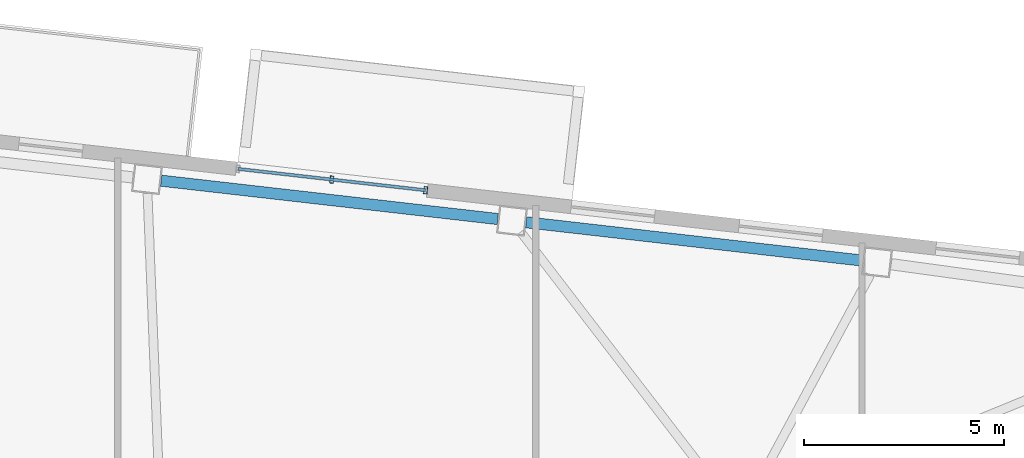
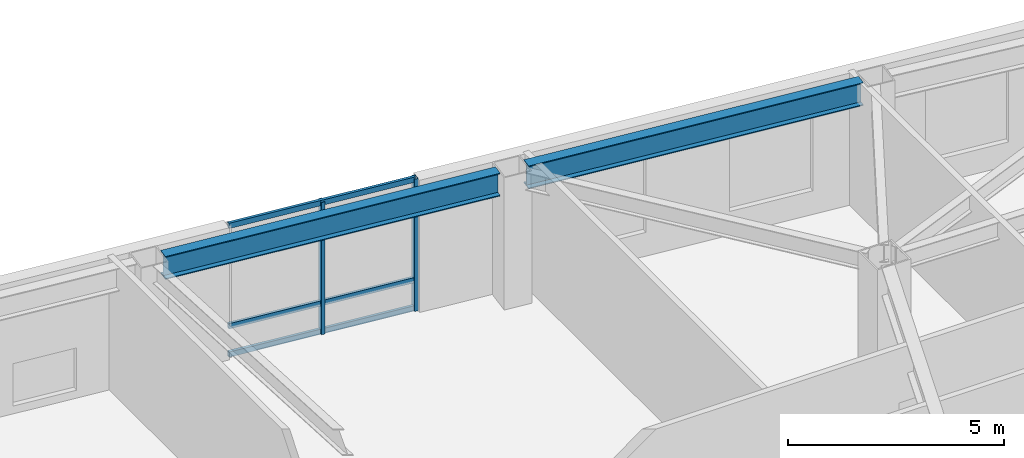
# One storey, part 9 of 21: 5 members, 2 beams, 1 element without a shape of its own.
"""IFC4 building model written with IfcOpenShell, lengths in metres."""

from ifc_helpers import new_model, si_unit, direction, frame, origin, origin_2d, place, context, subcontext, project, spatial, hollow_rectangle, i_section, extrude, material, layer, layer_set, material_profile, profile_set, type_object, element, aggregate, save


model = new_model("IFC4")

# Units and contexts
model_context = context("Model", 3, precision=1e-05, world=origin(), true_north=direction((0.0, 1.0)))
body_context = subcontext(model_context, "Body", "Model", "MODEL_VIEW")
ifc_project = project(units=[si_unit("LENGTHUNIT", "METRE"), si_unit("AREAUNIT", "SQUARE_METRE"), si_unit("VOLUMEUNIT", "CUBIC_METRE"), si_unit("PLANEANGLEUNIT", "RADIAN"), si_unit("MASSUNIT", "GRAM", prefix="KILO")], contexts=[model_context])

# Site, building, storey
site_placement = place(None, origin())
site = spatial("IfcSite", under=ifc_project, at=site_placement, CompositionType="ELEMENT")
building_placement = place(site_placement, origin())
building = spatial("IfcBuilding", under=site, at=building_placement, Name="Tavrogorsk Clinical Tower", CompositionType="ELEMENT")
storey_placement = place(building_placement, frame((0.0, 0.0, 125.39990234375)))
storey = spatial("IfcBuildingStorey", under=building, at=storey_placement, Name="L28", CompositionType="ELEMENT", Elevation=125.39990234375)

# Curtain wall, members
ifc_material_1 = material(Name="Anodised aluminium and triple IGU glazing", Category="aluminium")
ifc_layer = layer(ifc_material_1, 0.179931640625)
ifc_layer_set = layer_set([ifc_layer], Name="Anodised aluminium and triple IGU glazing")
curtain_wall_type = type_object("IfcCurtainWallType", Name="CW2_NorthSlot", PredefinedType="NOTDEFINED", material=ifc_layer_set)
curtain_wall_placement = place(storey_placement, origin())
curtain_wall = element("IfcCurtainWall", 1, at=curtain_wall_placement, inside=storey, type_object=curtain_wall_type, Name="L28 Curtain Wall CW-L28-N-SLOT-2", PredefinedType="NOTDEFINED")
ifc_material_2 = material(Name="Anodised aluminium alloy AW-6060", Category="aluminium")
ifc_material_profile_1 = material_profile(ifc_material_2, hollow_rectangle(XDim=0.090087890625, YDim=0.179931640625, WallThickness=0.00634765625, at=origin_2d()), Name="RHS-180x90x6.3")
ifc_profile_set_1 = profile_set([ifc_material_profile_1], Name="Anodised aluminium alloy AW-6060")
member_type_1 = type_object("IfcMemberType", Name="CwMullion_180x90", PredefinedType="MULLION", material=ifc_profile_set_1)
member_1_placement = place(storey_placement, frame((16.650146484375, 21.36572265625, 0.0), z_axis=(0.0, 0.0, 1.0), x_axis=(-0.993571855603, 0.11320321441, 0.0)))
member_1 = element("IfcMember", 2, at=member_1_placement, type_object=member_type_1, Name="CW-L28-N-SLOT-2 Mullion 1", PredefinedType="MULLION", context=body_context, shape_type="SweptSolid", body=[
    extrude(hollow_rectangle(XDim=0.090087890625, YDim=0.179931640625, WallThickness=0.00634765625, at=origin_2d()), origin(), (0.0, 0.0, 1.0), 3.739990234375),
])
member_2_placement = place(storey_placement, frame((14.306396484375, 21.6328125, 0.0), z_axis=(0.0, 0.0, 1.0), x_axis=(-0.993571855603, 0.11320321441, 0.0)))
member_2 = element("IfcMember", 3, at=member_2_placement, type_object=member_type_1, Name="CW-L28-N-SLOT-2 Mullion 2", PredefinedType="MULLION", context=body_context, shape_type="SweptSolid", body=[
    extrude(hollow_rectangle(XDim=0.090087890625, YDim=0.179931640625, WallThickness=0.00634765625, at=origin_2d()), origin(), (0.0, 0.0, 1.0), 3.739990234375),
])
ifc_material_3 = material(Name="Anodised aluminium alloy AW-6060", Category="aluminium")
ifc_material_profile_2 = material_profile(ifc_material_3, hollow_rectangle(XDim=0.074951171875, YDim=0.14990234375, WallThickness=0.0048828125, at=origin_2d()), Name="RHS-150x75x5")
ifc_profile_set_2 = profile_set([ifc_material_profile_2], Name="Anodised aluminium alloy AW-6060")
member_type_2 = type_object("IfcMemberType", Name="CwTransom_150x75", PredefinedType="USERDEFINED", material=ifc_profile_set_2)
member_3_placement = place(storey_placement, frame((16.650146484375, 21.36572265625, 0.050048828125), z_axis=(-0.993569315854, 0.113225503286, 0.0), x_axis=(-0.113225503286, -0.993569315854, 0.0)))
member_3 = element("IfcMember", 4, at=member_3_placement, type_object=member_type_2, Name="CW-L28-N-SLOT-2 Transom 1", ObjectType="TRANSOM", PredefinedType="USERDEFINED", context=body_context, shape_type="SweptSolid", body=[
    extrude(hollow_rectangle(XDim=0.074951171875, YDim=0.14990234375, WallThickness=0.0048828125, at=origin_2d()), origin(), (0.0, 0.0, 1.0), 4.7177734375),
])
member_4_placement = place(storey_placement, frame((16.650146484375, 21.36572265625, 0.85009765625), z_axis=(-0.993569315854, 0.113225503286, 0.0), x_axis=(-0.113225503286, -0.993569315854, 0.0)))
member_4 = element("IfcMember", 5, at=member_4_placement, type_object=member_type_2, Name="CW-L28-N-SLOT-2 Transom 2", ObjectType="TRANSOM", PredefinedType="USERDEFINED", context=body_context, shape_type="SweptSolid", body=[
    extrude(hollow_rectangle(XDim=0.074951171875, YDim=0.14990234375, WallThickness=0.0048828125, at=origin_2d()), origin(), (0.0, 0.0, 1.0), 4.7177734375),
])
member_5_placement = place(storey_placement, frame((16.650146484375, 21.36572265625, 3.690185546875), z_axis=(-0.993569315854, 0.113225503286, 0.0), x_axis=(-0.113225503286, -0.993569315854, 0.0)))
member_5 = element("IfcMember", 6, at=member_5_placement, type_object=member_type_2, Name="CW-L28-N-SLOT-2 Transom 3", ObjectType="TRANSOM", PredefinedType="USERDEFINED", context=body_context, shape_type="SweptSolid", body=[
    extrude(hollow_rectangle(XDim=0.074951171875, YDim=0.14990234375, WallThickness=0.0048828125, at=origin_2d()), origin(), (0.0, 0.0, 1.0), 4.7177734375),
])
aggregate(curtain_wall, [member_1, member_2, member_3, member_4, member_5])

# Beams
ifc_material_4 = material(Name="Structural steel S390", Category="steel")
ifc_material_profile_3 = material_profile(ifc_material_4, i_section(OverallWidth=0.280029296875, OverallDepth=0.64990234375, WebThickness=0.01611328125, FlangeThickness=0.02490234375, at=origin_2d()), Name="B-650x280x16x25")
ifc_profile_set_3 = profile_set([ifc_material_profile_3], Name="Structural steel S390")
beam_type = type_object("IfcBeamType", Name="SpandrelBeam_B650", PredefinedType="SPANDREL", material=ifc_profile_set_3)
beam_1_placement = place(storey_placement, frame((27.5703125, 19.608154296875, 3.4150390625), z_axis=(-0.993569819641, 0.113221082395, 0.0), x_axis=(-0.113221082395, -0.993569819641, 0.0)))
element("IfcBeam", 7, at=beam_1_placement, inside=storey, type_object=beam_type, Name="L28 Perimeter Spandrel N2-N3", PredefinedType="SPANDREL", context=body_context, shape_type="SweptSolid", body=[
    extrude(i_section(OverallWidth=0.280029296875, OverallDepth=0.64990234375, WebThickness=0.01611328125, FlangeThickness=0.02490234375, at=origin_2d()), origin(), (0.0, 0.0, 1.0), 8.46142578125),
])
beam_2_placement = place(storey_placement, frame((18.451904296875, 20.647216796875, 3.4150390625), z_axis=(-0.99357232562, 0.113199089054, 0.0), x_axis=(-0.113199089054, -0.99357232562, 0.0)))
element("IfcBeam", 8, at=beam_2_placement, inside=storey, type_object=beam_type, Name="L28 Perimeter Spandrel N3-N4", PredefinedType="SPANDREL", context=body_context, shape_type="SweptSolid", body=[
    extrude(i_section(OverallWidth=0.280029296875, OverallDepth=0.64990234375, WebThickness=0.01611328125, FlangeThickness=0.02490234375, at=origin_2d()), origin(), (0.0, 0.0, 1.0), 8.4609375),
])

save(model, "model.ifc")
